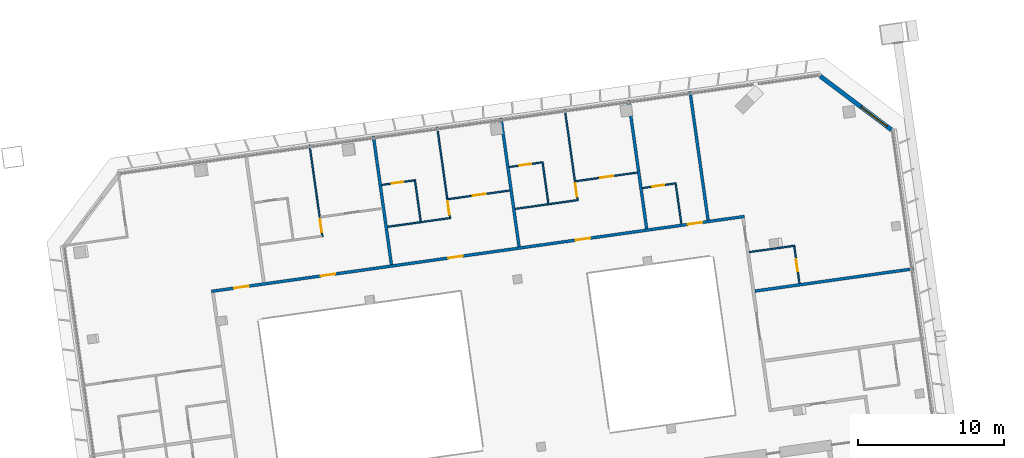
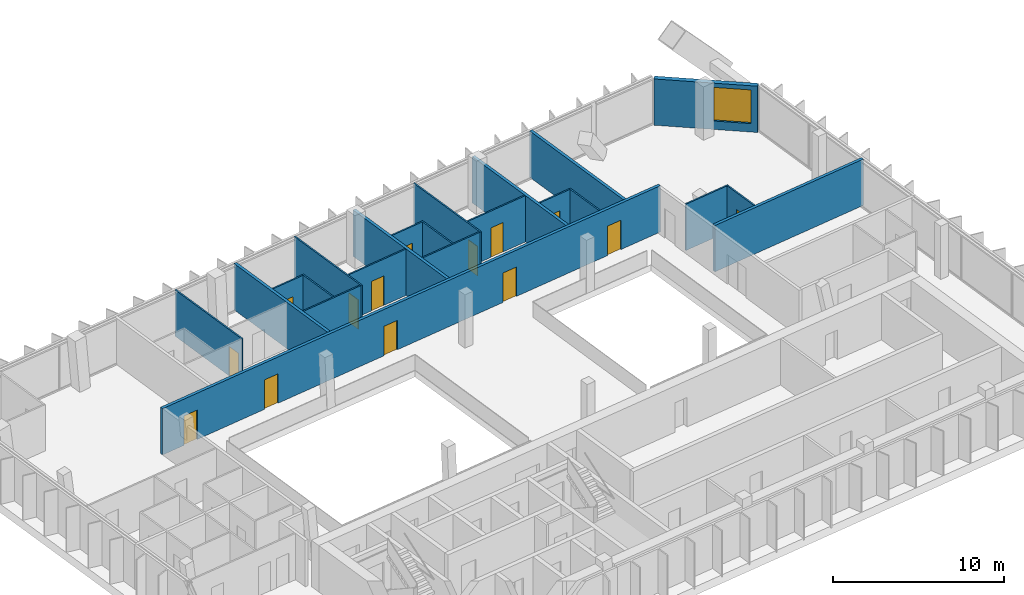
# One storey, part 22 of 29: 22 walls, 14 doors, 1 window, 15 openings.
"""IFC4 building model written with IfcOpenShell, lengths in metres."""

from ifc_helpers import new_model, si_unit, direction, frame, frame_2d, origin, place, context, subcontext, project, spatial, rectangle, extrude, material, layer, layer_set, type_object, element, fill, save


model = new_model("IFC4")

# Units and contexts
model_context = context("Model", 3, precision=1e-05, world=origin(), true_north=direction((0.0, 1.0)))
body_context = subcontext(model_context, "Body", "Model", "MODEL_VIEW")
ifc_project = project(units=[si_unit("LENGTHUNIT", "METRE"), si_unit("AREAUNIT", "SQUARE_METRE"), si_unit("VOLUMEUNIT", "CUBIC_METRE"), si_unit("PLANEANGLEUNIT", "RADIAN"), si_unit("MASSUNIT", "GRAM", prefix="KILO")], contexts=[model_context])

# Site, building, storey
site_placement = place(None, origin())
site = spatial("IfcSite", under=ifc_project, at=site_placement, CompositionType="ELEMENT")
building_placement = place(site_placement, origin())
building = spatial("IfcBuilding", under=site, at=building_placement, Name="Mirante Cascada Hotel Towers", CompositionType="ELEMENT")
storey_placement = place(building_placement, frame((0.0, 0.0, 206.8)))
storey = spatial("IfcBuildingStorey", under=building, at=storey_placement, Name="L49", CompositionType="ELEMENT", Elevation=206.8)

# Wall
ifc_material_1 = material(Name="Fire-rated plasterboard on metal studs")
ifc_layer_1 = layer(ifc_material_1, 0.2)
ifc_layer_set_1 = layer_set([ifc_layer_1], Name="Compartment wall 200 EI 120")
wall_type_1 = type_object("IfcWallType", Name="Compartment wall 200 EI 120", PredefinedType="PARTITIONING", material=ifc_layer_set_1)
wall_1_placement = place(storey_placement, frame((82.8018, 10.3016, 0.0), z_axis=(0.0, 0.0, 1.0), x_axis=(-0.990268, -0.1391733, 0.0)))
element("IfcWall", 1, at=wall_1_placement, inside=storey, type_object=wall_type_1, Name="Wall 2-L49-13", PredefinedType="PARTITIONING", context=body_context, shape_type="SweptSolid", body=[
    extrude(rectangle(XDim=11.0, YDim=0.2, at=frame_2d((5.5, 0.0))), origin(), (0.0, 0.0, 1.0), 3.3),
])

# Wall, openings, doors
wall_2_placement = place(storey_placement, frame((71.1898, 13.8871, 0.0), z_axis=(0.0, 0.0, 1.0), x_axis=(-0.990268, -0.1391734, 0.0)))
wall_2 = element("IfcWall", 2, at=wall_2_placement, inside=storey, type_object=wall_type_1, Name="Wall 2-L49-15", PredefinedType="PARTITIONING", context=body_context, shape_type="SweptSolid", body=[
    extrude(rectangle(XDim=36.9, YDim=0.2, at=frame_2d((18.45, 0.0))), origin(), (0.0, 0.0, 1.0), 3.3),
])
opening_1_placement = place(wall_2_placement, frame((34.3264, 0.0, 0.0)))
opening_1 = element("IfcOpeningElement", 3, at=opening_1_placement, cuts=wall_2, Name="Opening D2-L49-07", PredefinedType="OPENING", context=body_context, shape_type="SweptSolid", body=[
    extrude(rectangle(XDim=1.0, YDim=2.1, at=frame_2d((0.5, 1.05))), frame((0.0, 0.1, 0.0), z_axis=(0.0, -1.0, 0.0), x_axis=(1.0, 0.0, 0.0)), (0.0, 0.0, 1.0), 0.2),
])
opening_2_placement = place(wall_2_placement, frame((28.3358, 0.0, 0.0)))
opening_2 = element("IfcOpeningElement", 4, at=opening_2_placement, cuts=wall_2, Name="Opening D2-L49-08", PredefinedType="OPENING", context=body_context, shape_type="SweptSolid", body=[
    extrude(rectangle(XDim=1.0, YDim=2.1, at=frame_2d((0.5, 1.05))), frame((0.0, 0.1, 0.0), z_axis=(0.0, -1.0, 0.0), x_axis=(1.0, 0.0, 0.0)), (0.0, 0.0, 1.0), 0.2),
])
opening_3_placement = place(wall_2_placement, frame((19.5018, 0.0, 0.0)))
opening_3 = element("IfcOpeningElement", 5, at=opening_3_placement, cuts=wall_2, Name="Opening D2-L49-09", PredefinedType="OPENING", context=body_context, shape_type="SweptSolid", body=[
    extrude(rectangle(XDim=1.0, YDim=2.1, at=frame_2d((0.5, 1.05))), frame((0.0, 0.1, 0.0), z_axis=(0.0, -1.0, 0.0), x_axis=(1.0, 0.0, 0.0)), (0.0, 0.0, 1.0), 0.2),
])
opening_4_placement = place(wall_2_placement, frame((10.6679, 0.0, 0.0)))
opening_4 = element("IfcOpeningElement", 6, at=opening_4_placement, cuts=wall_2, Name="Opening D2-L49-10", PredefinedType="OPENING", context=body_context, shape_type="SweptSolid", body=[
    extrude(rectangle(XDim=1.0, YDim=2.1, at=frame_2d((0.5, 1.05))), frame((0.0, 0.1, 0.0), z_axis=(0.0, -1.0, 0.0), x_axis=(1.0, 0.0, 0.0)), (0.0, 0.0, 1.0), 0.2),
])
opening_5_placement = place(wall_2_placement, frame((2.9254, 0.0, 0.0)))
opening_5 = element("IfcOpeningElement", 7, at=opening_5_placement, cuts=wall_2, Name="Opening D2-L49-11", PredefinedType="OPENING", context=body_context, shape_type="SweptSolid", body=[
    extrude(rectangle(XDim=1.0, YDim=2.1, at=frame_2d((0.5, 1.05))), frame((0.0, 0.1, 0.0), z_axis=(0.0, -1.0, 0.0), x_axis=(1.0, 0.0, 0.0)), (0.0, 0.0, 1.0), 0.2),
])
ifc_material_2 = material(Name="Fire-rated timber door leaf", Category="wood")
door_type_1 = type_object("IfcDoorType", Name="Entrance door DG1 1000x2100 EI 60", OperationType="SINGLE_SWING_LEFT", PredefinedType="DOOR", material=ifc_material_2)
door_1_placement = place(opening_1_placement, frame((1.0, 0.0, 0.0), z_axis=(0.0, 0.0, 1.0), x_axis=(-1.0, 0.0, 0.0)))
door_1 = element("IfcDoor", 8, at=door_1_placement, inside=storey, type_object=door_type_1, Name="Door D2-L49-07", OperationType="SINGLE_SWING_RIGHT", OverallHeight=2.1, OverallWidth=1.0, PredefinedType="DOOR", context=body_context, shape_type="SweptSolid", body=[
    extrude(rectangle(XDim=1.0, YDim=2.1, at=frame_2d((0.5, 1.05))), frame((0.0, 0.025, 0.0), z_axis=(0.0, -1.0, 0.0), x_axis=(1.0, 0.0, 0.0)), (0.0, 0.0, 1.0), 0.05),
])
fill(opening_1, door_1)
door_2_placement = place(opening_2_placement, frame((1.0, 0.0, 0.0), z_axis=(0.0, 0.0, 1.0), x_axis=(-1.0, 0.0, 0.0)))
door_2 = element("IfcDoor", 9, at=door_2_placement, inside=storey, type_object=door_type_1, Name="Door D2-L49-08", OperationType="SINGLE_SWING_RIGHT", OverallHeight=2.1, OverallWidth=1.0, PredefinedType="DOOR", context=body_context, shape_type="SweptSolid", body=[
    extrude(rectangle(XDim=1.0, YDim=2.1, at=frame_2d((0.5, 1.05))), frame((0.0, 0.025, 0.0), z_axis=(0.0, -1.0, 0.0), x_axis=(1.0, 0.0, 0.0)), (0.0, 0.0, 1.0), 0.05),
])
fill(opening_2, door_2)
door_3_placement = place(opening_3_placement, frame((1.0, 0.0, 0.0), z_axis=(0.0, 0.0, 1.0), x_axis=(-1.0, 0.0, 0.0)))
door_3 = element("IfcDoor", 10, at=door_3_placement, inside=storey, type_object=door_type_1, Name="Door D2-L49-09", OperationType="SINGLE_SWING_RIGHT", OverallHeight=2.1, OverallWidth=1.0, PredefinedType="DOOR", context=body_context, shape_type="SweptSolid", body=[
    extrude(rectangle(XDim=1.0, YDim=2.1, at=frame_2d((0.5, 1.05))), frame((0.0, 0.025, 0.0), z_axis=(0.0, -1.0, 0.0), x_axis=(1.0, 0.0, 0.0)), (0.0, 0.0, 1.0), 0.05),
])
fill(opening_3, door_3)
door_4_placement = place(opening_4_placement, frame((1.0, 0.0, 0.0), z_axis=(0.0, 0.0, 1.0), x_axis=(-1.0, 0.0, 0.0)))
door_4 = element("IfcDoor", 11, at=door_4_placement, inside=storey, type_object=door_type_1, Name="Door D2-L49-10", OperationType="SINGLE_SWING_RIGHT", OverallHeight=2.1, OverallWidth=1.0, PredefinedType="DOOR", context=body_context, shape_type="SweptSolid", body=[
    extrude(rectangle(XDim=1.0, YDim=2.1, at=frame_2d((0.5, 1.05))), frame((0.0, 0.025, 0.0), z_axis=(0.0, -1.0, 0.0), x_axis=(1.0, 0.0, 0.0)), (0.0, 0.0, 1.0), 0.05),
])
fill(opening_4, door_4)
door_5_placement = place(opening_5_placement, frame((1.0, 0.0, 0.0), z_axis=(0.0, 0.0, 1.0), x_axis=(-1.0, 0.0, 0.0)))
door_5 = element("IfcDoor", 12, at=door_5_placement, inside=storey, type_object=door_type_1, Name="Door D2-L49-11", OperationType="SINGLE_SWING_RIGHT", OverallHeight=2.1, OverallWidth=1.0, PredefinedType="DOOR", context=body_context, shape_type="SweptSolid", body=[
    extrude(rectangle(XDim=1.0, YDim=2.1, at=frame_2d((0.5, 1.05))), frame((0.0, 0.025, 0.0), z_axis=(0.0, -1.0, 0.0), x_axis=(1.0, 0.0, 0.0)), (0.0, 0.0, 1.0), 0.05),
])
fill(opening_5, door_5)

# Walls
for number, where, z_axis, x_axis, name in (
    (13, (45.7561, 19.4011, 0.0), (0.0, 0.0, 1.0), (0.1391684, -0.9902687, 0.0), "Wall 2-L49-37"),
    (14, (55.7427, 11.8172, 0.0), (0.0, 0.0, 1.0), (-0.1391684, 0.9902687, 0.0), "Wall 2-L49-40"),
    (15, (63.252, 21.86, 0.0), (0.0, 0.0, 1.0), (0.1391794, -0.9902672, 0.0), "Wall 2-L49-43"),
    (16, (67.4616, 22.4516, 0.0), (0.0, 0.0, 1.0), (0.1391684, -0.9902687, 0.0), "Wall 2-L49-45"),
):
    element("IfcWall", number, at=place(storey_placement, frame(where, z_axis=z_axis, x_axis=x_axis)), inside=storey, type_object=wall_type_1, Name=name, PredefinedType="PARTITIONING", context=body_context, shape_type="SweptSolid", body=[
        extrude(rectangle(XDim=8.9, YDim=0.2, at=frame_2d((4.45, 0.0))), origin(), (0.0, 0.0, 1.0), 3.3),
    ])
ifc_material_3 = material(Name="Plasterboard on metal studs")
ifc_layer_2 = layer(ifc_material_3, 0.1)
ifc_layer_set_2 = layer_set([ifc_layer_2], Name="Partition 100")
wall_type_2 = type_object("IfcWallType", Name="Partition 100", PredefinedType="PARTITIONING", material=ifc_layer_set_2)
wall_3_placement = place(storey_placement, frame((71.5331, 11.4444, 0.0), z_axis=(0.0, 0.0, 1.0), x_axis=(0.9902676, 0.1391765, 0.0)))
element("IfcWall", 17, at=wall_3_placement, inside=storey, type_object=wall_type_2, Name="Wall 2-L49-14", PredefinedType="PARTITIONING", context=body_context, shape_type="SweptSolid", body=[
    extrude(rectangle(XDim=3.15, YDim=0.1, at=frame_2d((1.575, 0.0))), origin(), (0.0, 0.0, 1.0), 3.3),
])
wall_4_placement = place(storey_placement, frame((50.9574, 13.7702, 0.0), z_axis=(0.0, 0.0, 1.0), x_axis=(-0.9902666, -0.1391834, 0.0)))
element("IfcWall", 18, at=wall_4_placement, inside=storey, type_object=wall_type_2, Name="Wall 2-L49-17", PredefinedType="PARTITIONING", context=body_context, shape_type="SweptSolid", body=[
    extrude(rectangle(XDim=4.267, YDim=0.1, at=frame_2d((2.1335, 0.0))), origin(), (0.0, 0.0, 1.0), 3.3),
])
wall_5_placement = place(storey_placement, frame((55.4799, 14.4058, 0.0), z_axis=(0.0, 0.0, 1.0), x_axis=(0.9902694, 0.1391636, 0.0)))
element("IfcWall", 19, at=wall_5_placement, inside=storey, type_object=wall_type_2, Name="Wall 2-L49-18", PredefinedType="PARTITIONING", context=body_context, shape_type="SweptSolid", body=[
    extrude(rectangle(XDim=4.2669, YDim=0.1, at=frame_2d((2.1334, 0.0))), origin(), (0.0, 0.0, 1.0), 3.3),
])

# Wall, opening, door
wall_6_placement = place(storey_placement, frame((66.4281, 16.1464, 0.0), z_axis=(0.0, 0.0, 1.0), x_axis=(-0.9902705, -0.1391561, 0.0)))
wall_6 = element("IfcWall", 20, at=wall_6_placement, inside=storey, type_object=wall_type_2, Name="Wall 2-L49-19", PredefinedType="PARTITIONING", context=body_context, shape_type="SweptSolid", body=[
    extrude(rectangle(XDim=2.25, YDim=0.1, at=frame_2d((1.125, 0.0))), origin(), (0.0, 0.0, 1.0), 3.3),
])
opening_6_placement = place(wall_6_placement, frame((0.75, 0.0, 0.0)))
opening_6 = element("IfcOpeningElement", 21, at=opening_6_placement, cuts=wall_6, Name="Opening D2-L49-12", PredefinedType="OPENING", context=body_context, shape_type="SweptSolid", body=[
    extrude(rectangle(XDim=0.8, YDim=2.1, at=frame_2d((0.4, 1.05))), frame((0.0, 0.05, 0.0), z_axis=(0.0, -1.0, 0.0), x_axis=(1.0, 0.0, 0.0)), (0.0, 0.0, 1.0), 0.1),
])
ifc_material_4 = material(Name="Timber door leaf", Category="wood")
door_type_2 = type_object("IfcDoorType", Name="Bathroom door DG4 800x2100", OperationType="SINGLE_SWING_LEFT", PredefinedType="DOOR", material=ifc_material_4)
door_6_placement = place(opening_6_placement, frame((0.8, 0.0, 0.0), z_axis=(0.0, 0.0, 1.0), x_axis=(-1.0, 0.0, 0.0)))
door_6 = element("IfcDoor", 22, at=door_6_placement, inside=storey, type_object=door_type_2, Name="Door D2-L49-12", OperationType="SINGLE_SWING_RIGHT", OverallHeight=2.1, OverallWidth=0.8, PredefinedType="DOOR", context=body_context, shape_type="SweptSolid", body=[
    extrude(rectangle(XDim=0.8, YDim=2.1, at=frame_2d((0.4, 1.05))), frame((0.0, 0.025, 0.0), z_axis=(0.0, -1.0, 0.0), x_axis=(1.0, 0.0, 0.0)), (0.0, 0.0, 1.0), 0.05),
])
fill(opening_6, door_6)

wall_7_placement = place(storey_placement, frame((55.1009, 15.6653, 0.0), z_axis=(0.0, 0.0, 1.0), x_axis=(-0.9902662, -0.1391866, 0.0)))
wall_7 = element("IfcWall", 23, at=wall_7_placement, inside=storey, type_object=wall_type_2, Name="Wall 2-L49-21", PredefinedType="PARTITIONING", context=body_context, shape_type="SweptSolid", body=[
    extrude(rectangle(XDim=4.2669, YDim=0.1, at=frame_2d((2.1334, 0.0))), origin(), (0.0, 0.0, 1.0), 3.3),
])
opening_7_placement = place(wall_7_placement, frame((1.6585, 0.0, 0.0)))
opening_7 = element("IfcOpeningElement", 24, at=opening_7_placement, cuts=wall_7, Name="Opening D2-L49-14", PredefinedType="OPENING", context=body_context, shape_type="SweptSolid", body=[
    extrude(rectangle(XDim=0.9, YDim=2.1, at=frame_2d((0.45, 1.05))), frame((0.0, 0.05, 0.0), z_axis=(0.0, -1.0, 0.0), x_axis=(1.0, 0.0, 0.0)), (0.0, 0.0, 1.0), 0.1),
])
ifc_material_5 = material(Name="Timber door leaf", Category="wood")
door_type_3 = type_object("IfcDoorType", Name="Room door DG3 900x2100", OperationType="SINGLE_SWING_LEFT", PredefinedType="DOOR", material=ifc_material_5)
door_7_placement = place(opening_7_placement, origin())
door_7 = element("IfcDoor", 25, at=door_7_placement, inside=storey, type_object=door_type_3, Name="Door D2-L49-14", OperationType="SINGLE_SWING_LEFT", OverallHeight=2.1, OverallWidth=0.9, PredefinedType="DOOR", context=body_context, shape_type="SweptSolid", body=[
    extrude(rectangle(XDim=0.9, YDim=2.1, at=frame_2d((0.45, 1.05))), frame((0.0, 0.025, 0.0), z_axis=(0.0, -1.0, 0.0), x_axis=(1.0, 0.0, 0.0)), (0.0, 0.0, 1.0), 0.05),
])
fill(opening_7, door_7)

wall_8_placement = place(storey_placement, frame((59.6234, 16.3009, 0.0), z_axis=(0.0, 0.0, 1.0), x_axis=(0.9902699, 0.1391604, 0.0)))
wall_8 = element("IfcWall", 26, at=wall_8_placement, inside=storey, type_object=wall_type_2, Name="Wall 2-L49-22", PredefinedType="PARTITIONING", context=body_context, shape_type="SweptSolid", body=[
    extrude(rectangle(XDim=4.267, YDim=0.1, at=frame_2d((2.1335, 0.0))), origin(), (0.0, 0.0, 1.0), 3.3),
])
opening_8_placement = place(wall_8_placement, frame((1.7085, 0.0, 0.0)))
opening_8 = element("IfcOpeningElement", 27, at=opening_8_placement, cuts=wall_8, Name="Opening D2-L49-15", PredefinedType="OPENING", context=body_context, shape_type="SweptSolid", body=[
    extrude(rectangle(XDim=0.9, YDim=2.1, at=frame_2d((0.45, 1.05))), frame((0.0, 0.05, 0.0), z_axis=(0.0, -1.0, 0.0), x_axis=(1.0, 0.0, 0.0)), (0.0, 0.0, 1.0), 0.1),
])
door_8_placement = place(opening_8_placement, frame((0.9, 0.0, 0.0), z_axis=(0.0, 0.0, 1.0), x_axis=(-1.0, 0.0, 0.0)))
door_8 = element("IfcDoor", 28, at=door_8_placement, inside=storey, type_object=door_type_3, Name="Door D2-L49-15", OperationType="SINGLE_SWING_RIGHT", OverallHeight=2.1, OverallWidth=0.9, PredefinedType="DOOR", context=body_context, shape_type="SweptSolid", body=[
    extrude(rectangle(XDim=0.9, YDim=2.1, at=frame_2d((0.45, 1.05))), frame((0.0, 0.025, 0.0), z_axis=(0.0, -1.0, 0.0), x_axis=(1.0, 0.0, 0.0)), (0.0, 0.0, 1.0), 0.05),
])
fill(opening_8, door_8)

wall_9_placement = place(storey_placement, frame((48.5564, 16.3612, 0.0), z_axis=(0.0, 0.0, 1.0), x_axis=(-0.9902705, -0.1391561, 0.0)))
wall_9 = element("IfcWall", 29, at=wall_9_placement, inside=storey, type_object=wall_type_2, Name="Wall 2-L49-25", PredefinedType="PARTITIONING", context=body_context, shape_type="SweptSolid", body=[
    extrude(rectangle(XDim=2.25, YDim=0.1, at=frame_2d((1.125, 0.0))), origin(), (0.0, 0.0, 1.0), 3.3),
])
opening_9_placement = place(wall_9_placement, frame((0.75, 0.0, 0.0)))
opening_9 = element("IfcOpeningElement", 30, at=opening_9_placement, cuts=wall_9, Name="Opening D2-L49-17", PredefinedType="OPENING", context=body_context, shape_type="SweptSolid", body=[
    extrude(rectangle(XDim=0.8, YDim=2.1, at=frame_2d((0.4, 1.05))), frame((0.0, 0.05, 0.0), z_axis=(0.0, -1.0, 0.0), x_axis=(1.0, 0.0, 0.0)), (0.0, 0.0, 1.0), 0.1),
])
door_9_placement = place(opening_9_placement, frame((0.8, 0.0, 0.0), z_axis=(0.0, 0.0, 1.0), x_axis=(-1.0, 0.0, 0.0)))
door_9 = element("IfcDoor", 31, at=door_9_placement, inside=storey, type_object=door_type_2, Name="Door D2-L49-17", OperationType="SINGLE_SWING_RIGHT", OverallHeight=2.1, OverallWidth=0.8, PredefinedType="DOOR", context=body_context, shape_type="SweptSolid", body=[
    extrude(rectangle(XDim=0.8, YDim=2.1, at=frame_2d((0.4, 1.05))), frame((0.0, 0.025, 0.0), z_axis=(0.0, -1.0, 0.0), x_axis=(1.0, 0.0, 0.0)), (0.0, 0.0, 1.0), 0.05),
])
fill(opening_9, door_9)

wall_10_placement = place(storey_placement, frame((55.0763, 17.2776, 0.0), z_axis=(0.0, 0.0, 1.0), x_axis=(0.9902705, 0.1391561, 0.0)))
wall_10 = element("IfcWall", 32, at=wall_10_placement, inside=storey, type_object=wall_type_2, Name="Wall 2-L49-26", PredefinedType="PARTITIONING", context=body_context, shape_type="SweptSolid", body=[
    extrude(rectangle(XDim=2.25, YDim=0.1, at=frame_2d((1.125, 0.0))), origin(), (0.0, 0.0, 1.0), 3.3),
])
opening_10_placement = place(wall_10_placement, frame((0.7, 0.0, 0.0)))
opening_10 = element("IfcOpeningElement", 33, at=opening_10_placement, cuts=wall_10, Name="Opening D2-L49-18", PredefinedType="OPENING", context=body_context, shape_type="SweptSolid", body=[
    extrude(rectangle(XDim=0.8, YDim=2.1, at=frame_2d((0.4, 1.05))), frame((0.0, 0.05, 0.0), z_axis=(0.0, -1.0, 0.0), x_axis=(1.0, 0.0, 0.0)), (0.0, 0.0, 1.0), 0.1),
])
door_10_placement = place(opening_10_placement, origin())
door_10 = element("IfcDoor", 34, at=door_10_placement, inside=storey, type_object=door_type_2, Name="Door D2-L49-18", OperationType="SINGLE_SWING_LEFT", OverallHeight=2.1, OverallWidth=0.8, PredefinedType="DOOR", context=body_context, shape_type="SweptSolid", body=[
    extrude(rectangle(XDim=0.8, YDim=2.1, at=frame_2d((0.4, 1.05))), frame((0.0, 0.025, 0.0), z_axis=(0.0, -1.0, 0.0), x_axis=(1.0, 0.0, 0.0)), (0.0, 0.0, 1.0), 0.05),
])
fill(opening_10, door_10)

wall_11_placement = place(storey_placement, frame((42.2658, 12.4982, 0.0), z_axis=(0.0, 0.0, 1.0), x_axis=(-0.1391656, 0.9902691, 0.0)))
wall_11 = element("IfcWall", 35, at=wall_11_placement, inside=storey, type_object=wall_type_2, Name="Wall 2-L49-36", PredefinedType="PARTITIONING", context=body_context, shape_type="SweptSolid", body=[
    extrude(rectangle(XDim=6.35, YDim=0.1, at=frame_2d((3.175, 0.0))), origin(), (0.0, 0.0, 1.0), 3.3),
])
opening_11_placement = place(wall_11_placement, frame((0.3, 0.0, 0.0)))
opening_11 = element("IfcOpeningElement", 36, at=opening_11_placement, cuts=wall_11, Name="Opening D2-L49-26", PredefinedType="OPENING", context=body_context, shape_type="SweptSolid", body=[
    extrude(rectangle(XDim=0.9, YDim=2.1, at=frame_2d((0.45, 1.05))), frame((0.0, 0.05, 0.0), z_axis=(0.0, -1.0, 0.0), x_axis=(1.0, 0.0, 0.0)), (0.0, 0.0, 1.0), 0.1),
])
door_11_placement = place(opening_11_placement, frame((0.9, 0.0, 0.0), z_axis=(0.0, 0.0, 1.0), x_axis=(-1.0, 0.0, 0.0)))
door_11 = element("IfcDoor", 37, at=door_11_placement, inside=storey, type_object=door_type_3, Name="Door D2-L49-26", OperationType="SINGLE_SWING_RIGHT", OverallHeight=2.1, OverallWidth=0.9, PredefinedType="DOOR", context=body_context, shape_type="SweptSolid", body=[
    extrude(rectangle(XDim=0.9, YDim=2.1, at=frame_2d((0.45, 1.05))), frame((0.0, 0.025, 0.0), z_axis=(0.0, -1.0, 0.0), x_axis=(1.0, 0.0, 0.0)), (0.0, 0.0, 1.0), 0.05),
])
fill(opening_11, door_11)

# Wall
wall_12_placement = place(storey_placement, frame((49.0026, 13.5459, 0.0), z_axis=(0.0, 0.0, 1.0), x_axis=(-0.1391714, 0.9902683, 0.0)))
element("IfcWall", 38, at=wall_12_placement, inside=storey, type_object=wall_type_2, Name="Wall 2-L49-38", PredefinedType="PARTITIONING", context=body_context, shape_type="SweptSolid", body=[
    extrude(rectangle(XDim=2.9, YDim=0.1, at=frame_2d((1.45, 0.0))), origin(), (0.0, 0.0, 1.0), 3.3),
])

# Wall, opening, door
wall_13_placement = place(storey_placement, frame((50.1301, 20.0158, 0.0), z_axis=(0.0, 0.0, 1.0), x_axis=(0.1391656, -0.9902691, 0.0)))
wall_13 = element("IfcWall", 39, at=wall_13_placement, inside=storey, type_object=wall_type_2, Name="Wall 2-L49-39", PredefinedType="PARTITIONING", context=body_context, shape_type="SweptSolid", body=[
    extrude(rectangle(XDim=6.35, YDim=0.1, at=frame_2d((3.175, 0.0))), origin(), (0.0, 0.0, 1.0), 3.3),
])
opening_12_placement = place(wall_13_placement, frame((5.15, 0.0, 0.0)))
opening_12 = element("IfcOpeningElement", 40, at=opening_12_placement, cuts=wall_13, Name="Opening D2-L49-27", PredefinedType="OPENING", context=body_context, shape_type="SweptSolid", body=[
    extrude(rectangle(XDim=0.9, YDim=2.1, at=frame_2d((0.45, 1.05))), frame((0.0, 0.05, 0.0), z_axis=(0.0, -1.0, 0.0), x_axis=(1.0, 0.0, 0.0)), (0.0, 0.0, 1.0), 0.1),
])
door_12_placement = place(opening_12_placement, frame((0.9, 0.0, 0.0), z_axis=(0.0, 0.0, 1.0), x_axis=(-1.0, 0.0, 0.0)))
door_12 = element("IfcDoor", 41, at=door_12_placement, inside=storey, type_object=door_type_3, Name="Door D2-L49-27", OperationType="SINGLE_SWING_RIGHT", OverallHeight=2.1, OverallWidth=0.9, PredefinedType="DOOR", context=body_context, shape_type="SweptSolid", body=[
    extrude(rectangle(XDim=0.9, YDim=2.1, at=frame_2d((0.45, 1.05))), frame((0.0, 0.025, 0.0), z_axis=(0.0, -1.0, 0.0), x_axis=(1.0, 0.0, 0.0)), (0.0, 0.0, 1.0), 0.05),
])
fill(opening_12, door_12)

# Wall
wall_14_placement = place(storey_placement, frame((57.347, 17.6472, 0.0), z_axis=(0.0, 0.0, 1.0), x_axis=(0.1391714, -0.9902683, 0.0)))
element("IfcWall", 42, at=wall_14_placement, inside=storey, type_object=wall_type_2, Name="Wall 2-L49-41", PredefinedType="PARTITIONING", context=body_context, shape_type="SweptSolid", body=[
    extrude(rectangle(XDim=2.9, YDim=0.1, at=frame_2d((1.45, 0.0))), origin(), (0.0, 0.0, 1.0), 3.3),
])

# Wall, opening, door
wall_15_placement = place(storey_placement, frame((59.7618, 14.9571, 0.0), z_axis=(0.0, 0.0, 1.0), x_axis=(-0.139181, 0.990267, 0.0)))
wall_15 = element("IfcWall", 43, at=wall_15_placement, inside=storey, type_object=wall_type_2, Name="Wall 2-L49-42", PredefinedType="PARTITIONING", context=body_context, shape_type="SweptSolid", body=[
    extrude(rectangle(XDim=6.35, YDim=0.1, at=frame_2d((3.175, 0.0))), origin(), (0.0, 0.0, 1.0), 3.3),
])
opening_13_placement = place(wall_15_placement, frame((0.3, 0.0, 0.0)))
opening_13 = element("IfcOpeningElement", 44, at=opening_13_placement, cuts=wall_15, Name="Opening D2-L49-28", PredefinedType="OPENING", context=body_context, shape_type="SweptSolid", body=[
    extrude(rectangle(XDim=0.9, YDim=2.1, at=frame_2d((0.45, 1.05))), frame((0.0, 0.05, 0.0), z_axis=(0.0, -1.0, 0.0), x_axis=(1.0, 0.0, 0.0)), (0.0, 0.0, 1.0), 0.1),
])
door_13_placement = place(opening_13_placement, frame((0.9, 0.0, 0.0), z_axis=(0.0, 0.0, 1.0), x_axis=(-1.0, 0.0, 0.0)))
door_13 = element("IfcDoor", 45, at=door_13_placement, inside=storey, type_object=door_type_3, Name="Door D2-L49-28", OperationType="SINGLE_SWING_RIGHT", OverallHeight=2.1, OverallWidth=0.9, PredefinedType="DOOR", context=body_context, shape_type="SweptSolid", body=[
    extrude(rectangle(XDim=0.9, YDim=2.1, at=frame_2d((0.45, 1.05))), frame((0.0, 0.025, 0.0), z_axis=(0.0, -1.0, 0.0), x_axis=(1.0, 0.0, 0.0)), (0.0, 0.0, 1.0), 0.05),
])
fill(opening_13, door_13)

# Wall
wall_16_placement = place(storey_placement, frame((66.8673, 13.3806, 0.0), z_axis=(0.0, 0.0, 1.0), x_axis=(-0.1391564, 0.9902704, 0.0)))
element("IfcWall", 46, at=wall_16_placement, inside=storey, type_object=wall_type_2, Name="Wall 2-L49-44", PredefinedType="PARTITIONING", context=body_context, shape_type="SweptSolid", body=[
    extrude(rectangle(XDim=2.85, YDim=0.1, at=frame_2d((1.425, 0.0))), origin(), (0.0, 0.0, 1.0), 3.3),
])

# Wall, opening, door
wall_17_placement = place(storey_placement, frame((74.6099, 11.8264, 0.0), z_axis=(0.0, 0.0, 1.0), x_axis=(0.1391755, -0.9902677, 0.0)))
wall_17 = element("IfcWall", 47, at=wall_17_placement, inside=storey, type_object=wall_type_2, Name="Wall 2-L49-47", PredefinedType="PARTITIONING", context=body_context, shape_type="SweptSolid", body=[
    extrude(rectangle(XDim=2.55, YDim=0.1, at=frame_2d((1.275, 0.0))), origin(), (0.0, 0.0, 1.0), 3.3),
])
opening_14_placement = place(wall_17_placement, frame((0.9, 0.0, 0.0)))
opening_14 = element("IfcOpeningElement", 48, at=opening_14_placement, cuts=wall_17, Name="Opening D2-L49-31", PredefinedType="OPENING", context=body_context, shape_type="SweptSolid", body=[
    extrude(rectangle(XDim=0.8, YDim=2.1, at=frame_2d((0.4, 1.05))), frame((0.0, 0.05, 0.0), z_axis=(0.0, -1.0, 0.0), x_axis=(1.0, 0.0, 0.0)), (0.0, 0.0, 1.0), 0.1),
])
door_14_placement = place(opening_14_placement, origin())
door_14 = element("IfcDoor", 49, at=door_14_placement, inside=storey, type_object=door_type_2, Name="Door D2-L49-31", OperationType="SINGLE_SWING_LEFT", OverallHeight=2.1, OverallWidth=0.8, PredefinedType="DOOR", context=body_context, shape_type="SweptSolid", body=[
    extrude(rectangle(XDim=0.8, YDim=2.1, at=frame_2d((0.4, 1.05))), frame((0.0, 0.025, 0.0), z_axis=(0.0, -1.0, 0.0), x_axis=(1.0, 0.0, 0.0)), (0.0, 0.0, 1.0), 0.05),
])
fill(opening_14, door_14)

# Wall, opening, window
ifc_material_6 = material(Name="Precast concrete C40/50", Category="concrete")
ifc_layer_3 = layer(ifc_material_6, 0.3)
ifc_layer_set_3 = layer_set([ifc_layer_3], Name="Precast concrete C40/50 cladding wall 300")
wall_type_3 = type_object("IfcWallType", Name="Precast concrete C40/50 cladding wall 300", PredefinedType="STANDARD", material=ifc_layer_set_3)
wall_18_placement = place(storey_placement, frame((81.2671, 19.8291, 0.0), z_axis=(0.0, 0.0, 1.0), x_axis=(-0.7986343, 0.6018167, 0.0)))
wall_18 = element("IfcWall", 50, at=wall_18_placement, inside=storey, type_object=wall_type_3, Name="Corner cladding wall T2 L49 outer front", PredefinedType="STANDARD", context=body_context, shape_type="SweptSolid", body=[
    extrude(rectangle(XDim=6.1158, YDim=0.3, at=frame_2d((3.0579, 0.0))), origin(), (0.0, 0.0, 1.0), 3.3),
])
opening_15_placement = place(wall_18_placement, frame((0.3914, 0.0, 0.6)))
opening_15 = element("IfcOpeningElement", 51, at=opening_15_placement, cuts=wall_18, Name="Opening W2-49-03", PredefinedType="OPENING", context=body_context, shape_type="SweptSolid", body=[
    extrude(rectangle(XDim=2.2, YDim=2.4, at=frame_2d((1.1, 1.2))), frame((0.0, 0.15, 0.0), z_axis=(0.0, -1.0, 0.0), x_axis=(1.0, 0.0, 0.0)), (0.0, 0.0, 1.0), 0.3),
])
ifc_material_7 = material(Name="Aluminium frame with clear double glazing", Category="aluminium")
window_type = type_object("IfcWindowType", Name="Corner suite window 2200x2400", PartitioningType="DOUBLE_PANEL_VERTICAL", PredefinedType="WINDOW", material=ifc_material_7)
window_placement = place(opening_15_placement, origin())
window = element("IfcWindow", 52, at=window_placement, inside=storey, type_object=window_type, Name="Window W2-49-03", OverallHeight=2.4, OverallWidth=2.2, PartitioningType="SINGLE_PANEL", PredefinedType="WINDOW", context=body_context, shape_type="SweptSolid", body=[
    extrude(rectangle(XDim=2.2, YDim=2.4, at=frame_2d((1.1, 1.2))), frame((0.0, 0.03, 0.0), z_axis=(0.0, -1.0, 0.0), x_axis=(1.0, 0.0, 0.0)), (0.0, 0.0, 1.0), 0.06),
])
fill(opening_15, window)

save(model, "model.ifc")
